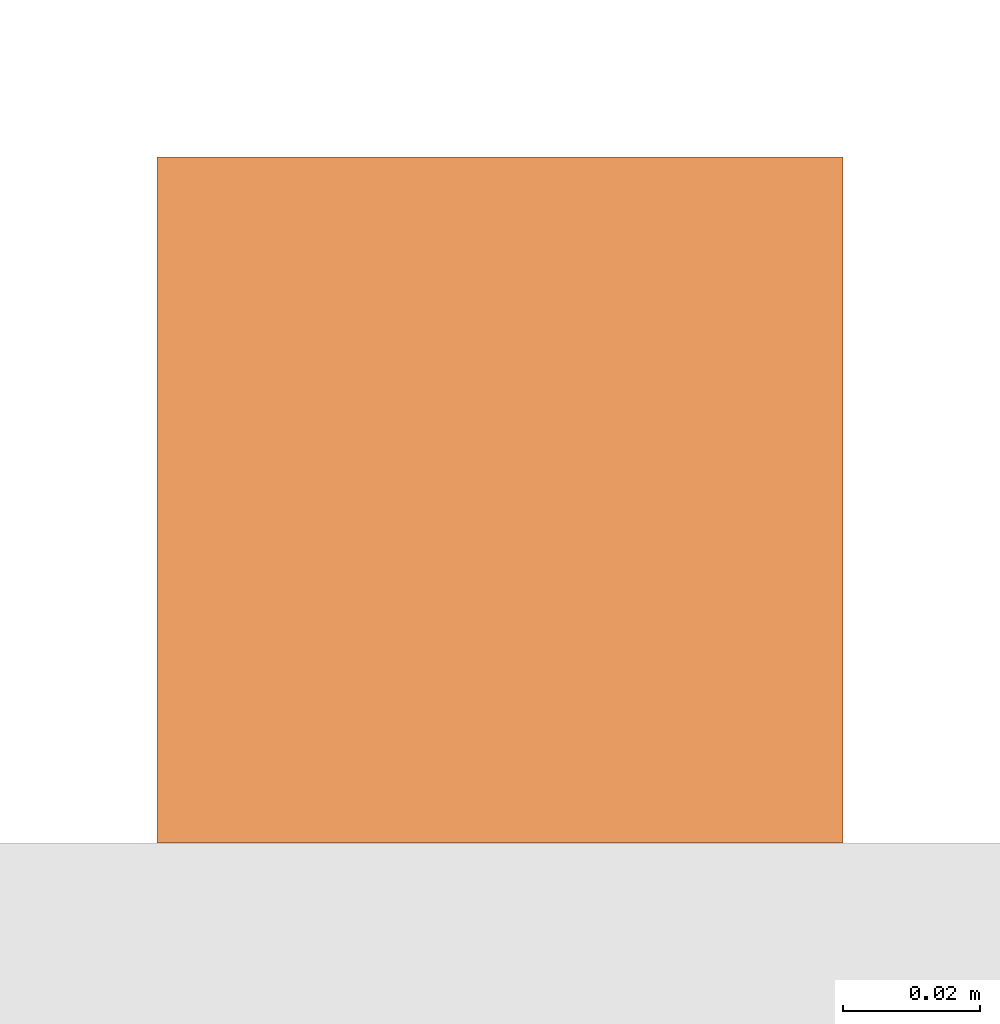
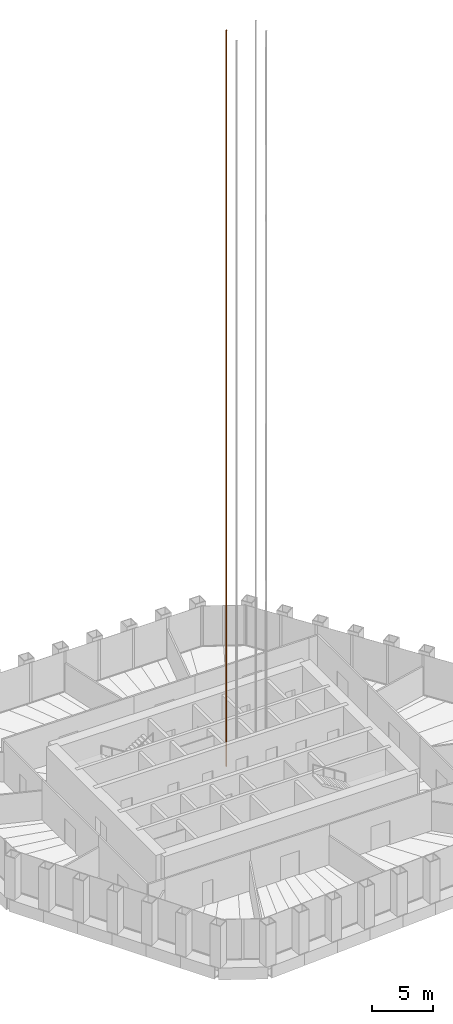
# One storey, part 18 of 19: 1 proxy.
"""IFC4 building model written with IfcOpenShell, lengths in metres."""

import ifcopenshell
import ifcopenshell.guid

model = None  # the IFC model being written
_history = None  # IfcOwnerHistory: only IFC2X3 demands one
_inside = {}  # id of a spatial element -> (the spatial element, [elements in it])
_under = {}  # id of a project, library or spatial element -> (it, [spatial elements below it])
_declared = {}  # id of a project -> (the project, [libraries it declares])
_typed = {}  # id of a type object -> (the type object, [elements of that type])
_made_of = {}  # id of a material, layer set ... -> (it, [elements and type objects made of it])


def new_model(schema):
    """Start an empty IFC model of exactly this schema.

    Asked for "IFC4X3", IfcOpenShell would pick the latest addendum, in which some entities
    have other attributes; the version numbers below select the first issue.
    IFC2X3 requires an IfcOwnerHistory on every rooted entity: one is made here for all.
    """
    global model, _history
    if schema == "IFC4X3":
        model = ifcopenshell.file(schema_version=(4, 3, 0, 0))
    else:
        model = ifcopenshell.file(schema=schema)
    _inside.clear()
    _under.clear()
    _declared.clear()
    _typed.clear()
    _made_of.clear()
    _history = None
    if model.schema == "IFC2X3":
        org = make("IfcOrganization", Name="unknown")
        user = make(
            "IfcPersonAndOrganization",
            ThePerson=make("IfcPerson", FamilyName="unknown"),
            TheOrganization=org,
        )
        app = make(
            "IfcApplication",
            ApplicationDeveloper=org,
            Version="unknown",
            ApplicationFullName="unknown",
            ApplicationIdentifier="unknown",
        )
        _history = make(
            "IfcOwnerHistory",
            OwningUser=user,
            OwningApplication=app,
            ChangeAction="ADDED",
            CreationDate=0,
        )
    return model


def make(cls, **values):
    """One entity of the class cls with the attributes given. An attribute that is None is left unset."""
    return model.create_entity(
        cls, **{name: value for name, value in values.items() if value is not None}
    )


def rooted(cls, **values):
    """An entity with a GlobalId (a new one), such as an element, a storey or a relation."""
    return make(cls, GlobalId=ifcopenshell.guid.new(), OwnerHistory=_history, **values)


def si_unit(unit_type, name, prefix=None):
    """IfcSIUnit, for example si_unit("LENGTHUNIT", "METRE", prefix="MILLI")."""
    return make("IfcSIUnit", UnitType=unit_type, Prefix=prefix, Name=name)


def assignment(units):
    """IfcUnitAssignment: the units of a project."""
    return None if units is None else make("IfcUnitAssignment", Units=units)


def point(xyz):
    """IfcCartesianPoint."""
    return None if xyz is None else make("IfcCartesianPoint", Coordinates=xyz)


def direction(xyz):
    """IfcDirection."""
    return None if xyz is None else make("IfcDirection", DirectionRatios=xyz)


def frame(location, z_axis=None, x_axis=None):
    """IfcAxis2Placement3D, a coordinate frame: its origin and axes. An axis left out is left unset."""
    return make(
        "IfcAxis2Placement3D",
        Location=point(location),
        Axis=direction(z_axis),
        RefDirection=direction(x_axis),
    )


def frame_2d(location, x_axis=None):
    """IfcAxis2Placement2D, a coordinate frame in the plane: its origin and x axis."""
    return make(
        "IfcAxis2Placement2D", Location=point(location), RefDirection=direction(x_axis)
    )


def origin():
    """The frame at (0, 0, 0) with its axes left unset."""
    return frame((0.0, 0.0, 0.0))


def origin_2d():
    """The frame at (0, 0) in the plane with its x axis left unset."""
    return frame_2d((0.0, 0.0))


def place(relative_to, where):
    """IfcLocalPlacement: puts the frame where relative to a parent placement (None: the world)."""
    return make(
        "IfcLocalPlacement", PlacementRelTo=relative_to, RelativePlacement=where
    )


def context(
    kind, dimensions, precision=None, world=None, true_north=None, identifier=None
):
    """IfcGeometricRepresentationContext, for example the 3D "Model" context."""
    return make(
        "IfcGeometricRepresentationContext",
        ContextIdentifier=identifier,
        ContextType=kind,
        CoordinateSpaceDimension=dimensions,
        Precision=precision,
        WorldCoordinateSystem=world,
        TrueNorth=true_north,
    )


def subcontext(parent, identifier, kind, view, scale=None):
    """IfcGeometricRepresentationSubContext, for example "Body" below "Model"."""
    return make(
        "IfcGeometricRepresentationSubContext",
        ContextIdentifier=identifier,
        ContextType=kind,
        ParentContext=parent,
        TargetScale=scale,
        TargetView=view,
    )


def project(units=None, contexts=None):
    """IfcProject with its units and contexts."""
    return rooted(
        "IfcProject",
        Name="project",
        RepresentationContexts=contexts,
        UnitsInContext=assignment(units),
    )


def spatial(cls, under=None, at=None, **own):
    """A site, building, storey or space (cls), placed at a placement, below another one or the project."""
    s = rooted(cls, ObjectPlacement=at, **own)
    if under is not None:
        _under.setdefault(under.id(), (under, []))[1].append(s)
    return s


def profile(cls, at=None, kind="AREA", **sizes):
    """A parametric profile (cls). Its sizes go by their IFC names, for example OverallWidth=200.0."""
    return make(cls, ProfileType=kind, Position=at, **sizes)


def rectangle(**sizes):
    """IfcRectangleProfileDef."""
    return profile("IfcRectangleProfileDef", **sizes)


def extrude(swept, where, along, depth):
    """IfcExtrudedAreaSolid: the profile swept, set in the frame where, extruded along a direction by depth."""
    return make(
        "IfcExtrudedAreaSolid",
        SweptArea=swept,
        Position=where,
        ExtrudedDirection=direction(along),
        Depth=depth,
    )


def shape(context_of_items, identifier, shape_type, items):
    """IfcShapeRepresentation: the items that make up one representation, for example the "Body"."""
    return make(
        "IfcShapeRepresentation",
        ContextOfItems=context_of_items,
        RepresentationIdentifier=identifier,
        RepresentationType=shape_type,
        Items=items,
    )


def material(Name=None, Category=None):
    """IfcMaterial."""
    return make("IfcMaterial", Name=Name, Category=Category)


def made_of(thing, what):
    """Note that an element or type object is made of a material, layer set ...; save() writes the relation."""
    if what is not None:
        _made_of.setdefault(what.id(), (what, []))[1].append(thing)
    return thing


def type_object(cls, material=None, **own):
    """A type object (cls), such as IfcWallType, which elements share."""
    return made_of(rooted(cls, **own), material)


def element(
    cls,
    number,
    at=None,
    inside=None,
    cuts=None,
    type_object=None,
    material=None,
    context=None,
    identifier="Body",
    shape_type=None,
    held_by="IfcProductDefinitionShape",
    body=None,
    shapes=None,
    **own,
):
    """One element of the class cls, such as IfcWall. Its Tag is "e" and its number.

    at: its placement. inside: the storey or other place that contains it. cuts: it is an
    opening in that element (IfcRelVoidsElement). A single representation is given by context,
    identifier, shape_type and body (its items); several are given by shapes. held_by: the class
    of the entity that holds the representations. save() writes the other relations.
    """
    e = rooted(cls, Tag="e%d" % number, ObjectPlacement=at, **own)
    if body is not None:
        shapes = [shape(context, identifier, shape_type, body)]
    if shapes is not None:
        e.Representation = make(held_by, Representations=shapes)
    if inside is not None:
        _inside.setdefault(inside.id(), (inside, []))[1].append(e)
    if cuts is not None:
        rooted(
            "IfcRelVoidsElement", RelatingBuildingElement=cuts, RelatedOpeningElement=e
        )
    if type_object is not None:
        _typed.setdefault(type_object.id(), (type_object, []))[1].append(e)
    return made_of(e, material)


def aggregate(whole, parts):
    """IfcRelAggregates: a whole, such as a stair, and the parts it consists of."""
    return rooted("IfcRelAggregates", RelatingObject=whole, RelatedObjects=parts)


def save(model, path):
    """Write the relations noted so far, then the file.

    IfcRelAggregates (storeys below a building ...), IfcRelContainedInSpatialStructure (elements
    in a storey), IfcRelDefinesByType, IfcRelAssociatesMaterial and IfcRelDeclares: one each for
    every whole, place, type object, material and project.
    """
    for whole, parts in _under.values():
        aggregate(whole, parts)
    for where, things in _inside.values():
        rooted(
            "IfcRelContainedInSpatialStructure",
            RelatedElements=things,
            RelatingStructure=where,
        )
    for kind, things in _typed.values():
        rooted("IfcRelDefinesByType", RelatedObjects=things, RelatingType=kind)
    for what, things in _made_of.values():
        rooted("IfcRelAssociatesMaterial", RelatedObjects=things, RelatingMaterial=what)
    for by, libraries in _declared.values():
        rooted("IfcRelDeclares", RelatingContext=by, RelatedDefinitions=libraries)
    model.write(path)


model = new_model("IFC4")

# Units and contexts
model_context = context("Model", 3, precision=1e-05, world=origin(), true_north=direction((0.0, 1.0)))
body_context = subcontext(model_context, "Body", "Model", "MODEL_VIEW")
ifc_project = project(units=[si_unit("LENGTHUNIT", "METRE"), si_unit("AREAUNIT", "SQUARE_METRE"), si_unit("VOLUMEUNIT", "CUBIC_METRE"), si_unit("PLANEANGLEUNIT", "RADIAN"), si_unit("MASSUNIT", "GRAM", prefix="KILO")], contexts=[model_context])

# Site, building, storey
site_placement = place(None, origin())
site = spatial("IfcSite", under=ifc_project, at=site_placement, CompositionType="ELEMENT")
building_placement = place(site_placement, origin())
building = spatial("IfcBuilding", under=site, at=building_placement, Name="Qingtian Harvest Tower", CompositionType="ELEMENT")
storey_placement = place(building_placement, frame((0.0, 0.0, 262.0)))
storey = spatial("IfcBuildingStorey", under=building, at=storey_placement, Name="L57", CompositionType="ELEMENT", Elevation=262.0)

# Proxy
ifc_material = material(Name="Steel SN490B", Category="steel")
building_element_proxy_type = type_object("IfcBuildingElementProxyType", Name="Lift guide rail LR1", PredefinedType="NOTDEFINED", material=ifc_material)
proxy_placement = place(storey_placement, frame((1.89990234375, 4.375, 0.0), z_axis=(0.0, 0.0, 1.0), x_axis=(1.0, 0.0, 0.0)))
element("IfcBuildingElementProxy", 1, at=proxy_placement, inside=storey, type_object=building_element_proxy_type, Name="Lift PLD1 guide rail 2", PredefinedType="NOTDEFINED", context=body_context, shape_type="SweptSolid", body=[
    extrude(rectangle(XDim=0.10009765625, YDim=0.10009765625, at=origin_2d()), origin(), (0.0, 0.0, 1.0), 73.800048828125),
])

save(model, "model.ifc")
